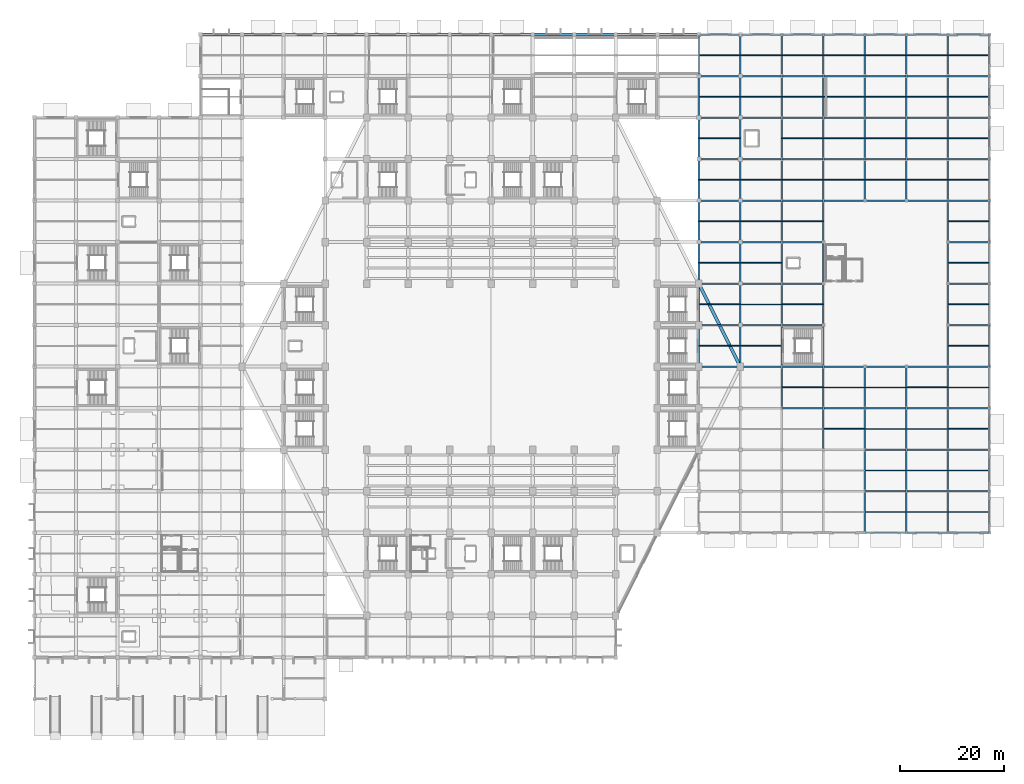
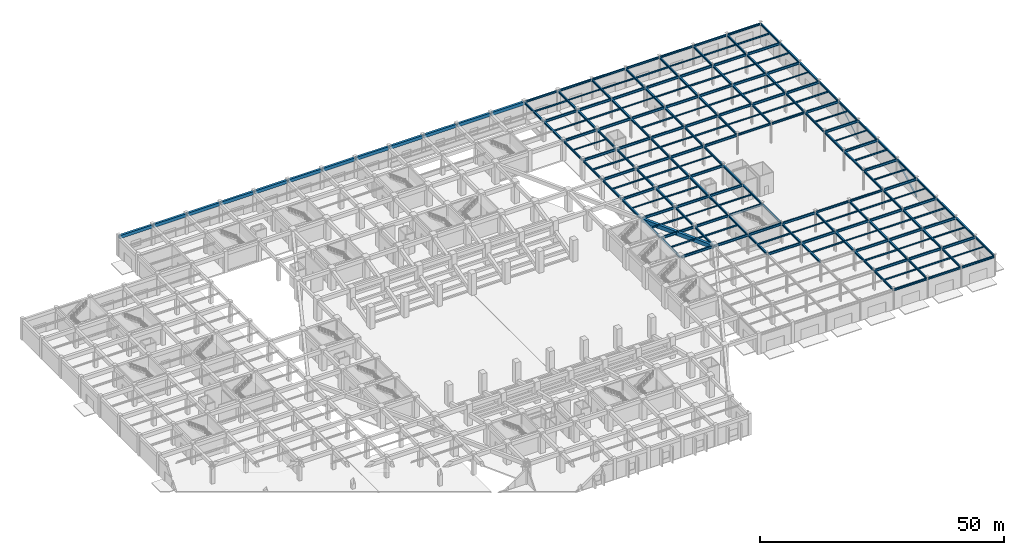
# One storey, part 14 of 39: 212 beams, 2 members.
"""IFC4 building model written with IfcOpenShell, lengths in metres."""

from ifc_helpers import new_model, si_unit, direction, frame, origin, origin_2d, place, context, subcontext, project, spatial, rectangle, hollow_circle, i_section, extrude, material, material_profile, profile_set, type_object, element, save


model = new_model("IFC4")

# Units and contexts
model_context = context("Model", 3, precision=1e-05, world=origin(), true_north=direction((0.0, 1.0)))
body_context = subcontext(model_context, "Body", "Model", "MODEL_VIEW")
ifc_project = project(units=[si_unit("LENGTHUNIT", "METRE"), si_unit("AREAUNIT", "SQUARE_METRE"), si_unit("VOLUMEUNIT", "CUBIC_METRE"), si_unit("PLANEANGLEUNIT", "RADIAN"), si_unit("MASSUNIT", "GRAM", prefix="KILO")], contexts=[model_context])

# Site, building, storey
site_placement = place(None, origin())
site = spatial("IfcSite", under=ifc_project, at=site_placement, CompositionType="ELEMENT")
building_placement = place(site_placement, origin())
building = spatial("IfcBuilding", under=site, at=building_placement, Name="Tazarka Park Arena", CompositionType="ELEMENT")
storey_placement = place(building_placement, origin())
storey = spatial("IfcBuildingStorey", under=building, at=storey_placement, Name="L00", CompositionType="ELEMENT", Elevation=0.0)

# Beams
ifc_material_1 = material(Name="Steel S355", Category="steel")
ifc_material_profile_1 = material_profile(ifc_material_1, i_section(OverallWidth=0.300048828125, OverallDepth=0.590087890625, WebThickness=0.012939453125, FlangeThickness=0.02490234375, FilletRadius=0.027099609375, at=origin_2d()), Name="Steel S355")
ifc_profile_set_1 = profile_set([ifc_material_profile_1], Name="Steel S355")
beam_type_1 = type_object("IfcBeamType", Name="BM-B-07", PredefinedType="BEAM", material=ifc_profile_set_1)
for number, where, z_axis, x_axis, name in (
    (1, (128.1201171875, 64.0, 4.72509765625), (1.0, 0.0, 0.0), (0.0, 1.0, 0.0), "GXM-L00-16-08"),
    (2, (128.1201171875, 72.0, 4.72509765625), (1.0, 0.0, 0.0), (0.0, 1.0, 0.0), "GXM-L00-16-09"),
    (3, (128.1201171875, 80.0, 4.72509765625), (1.0, 0.0, 0.0), (0.0, 1.0, 0.0), "GXM-L00-16-10"),
    (4, (128.1201171875, 88.0, 4.72509765625), (1.0, 0.0, 0.0), (0.0, 1.0, 0.0), "GXM-L00-16-11"),
    (5, (128.1201171875, 96.0, 4.72509765625), (1.0, 0.0, 0.0), (0.0, 1.0, 0.0), "GXM-L00-16-12"),
    (6, (128.1201171875, 104.0, 4.72509765625), (1.0, 0.0, 0.0), (0.0, 1.0, 0.0), "GXM-L00-16-13"),
    (7, (128.1201171875, 112.0, 4.72509765625), (1.0, 0.0, 0.0), (0.0, 1.0, 0.0), "GXM-L00-16-14"),
    (8, (128.1201171875, 120.0, 4.72509765625), (1.0, 0.0, 0.0), (0.0, 1.0, 0.0), "GXM-L00-16-15"),
    (9, (136.1201171875, 64.0, 4.72509765625), (1.0, 0.0, 0.0), (0.0, 1.0, 0.0), "GXM-L00-17-08"),
    (10, (136.1201171875, 72.0, 4.72509765625), (1.0, 0.0, 0.0), (0.0, 1.0, 0.0), "GXM-L00-17-09"),
    (11, (136.1201171875, 80.0, 4.72509765625), (1.0, 0.0, 0.0), (0.0, 1.0, 0.0), "GXM-L00-17-10"),
    (12, (136.1201171875, 88.0, 4.72509765625), (1.0, 0.0, 0.0), (0.0, 1.0, 0.0), "GXM-L00-17-11"),
    (13, (136.1201171875, 96.0, 4.72509765625), (1.0, 0.0, 0.0), (0.0, 1.0, 0.0), "GXM-L00-17-12"),
    (14, (136.1201171875, 104.0, 4.72509765625), (1.0, 0.0, 0.0), (0.0, 1.0, 0.0), "GXM-L00-17-13"),
    (15, (136.1201171875, 112.0, 4.72509765625), (1.0, 0.0, 0.0), (0.0, 1.0, 0.0), "GXM-L00-17-14"),
    (16, (136.1201171875, 120.0, 4.72509765625), (1.0, 0.0, 0.0), (0.0, 1.0, 0.0), "GXM-L00-17-15"),
    (17, (144.1201171875, 56.0, 4.72509765625), (1.0, 0.0, 0.0), (0.0, 1.0, 0.0), "GXM-L00-18-07"),
    (18, (144.1201171875, 64.0, 4.72509765625), (1.0, 0.0, 0.0), (0.0, 1.0, 0.0), "GXM-L00-18-08"),
    (19, (144.1201171875, 72.0, 4.72509765625), (1.0, 0.0, 0.0), (0.0, 1.0, 0.0), "GXM-L00-18-09"),
    (20, (144.1201171875, 80.0, 4.72509765625), (1.0, 0.0, 0.0), (0.0, 1.0, 0.0), "GXM-L00-18-10"),
    (21, (144.1201171875, 88.0, 4.72509765625), (1.0, 0.0, 0.0), (0.0, 1.0, 0.0), "GXM-L00-18-11"),
    (22, (144.1201171875, 96.0, 4.72509765625), (1.0, 0.0, 0.0), (0.0, 1.0, 0.0), "GXM-L00-18-12"),
    (23, (144.1201171875, 104.0, 4.72509765625), (1.0, 0.0, 0.0), (0.0, 1.0, 0.0), "GXM-L00-18-13"),
    (24, (144.1201171875, 112.0, 4.72509765625), (1.0, 0.0, 0.0), (0.0, 1.0, 0.0), "GXM-L00-18-14"),
    (25, (144.1201171875, 120.0, 4.72509765625), (1.0, 0.0, 0.0), (0.0, 1.0, 0.0), "GXM-L00-18-15"),
    (26, (152.1201171875, 56.0, 4.72509765625), (1.0, 0.0, 0.0), (0.0, 1.0, 0.0), "GXM-L00-19-07"),
    (27, (152.1201171875, 64.0, 4.72509765625), (1.0, 0.0, 0.0), (0.0, 1.0, 0.0), "GXM-L00-19-08"),
    (28, (152.1201171875, 96.0, 4.72509765625), (1.0, 0.0, 0.0), (0.0, 1.0, 0.0), "GXM-L00-19-12"),
    (29, (152.1201171875, 104.0, 4.72509765625), (1.0, 0.0, 0.0), (0.0, 1.0, 0.0), "GXM-L00-19-13"),
    (30, (152.1201171875, 112.0, 4.72509765625), (1.0, 0.0, 0.0), (0.0, 1.0, 0.0), "GXM-L00-19-14"),
    (31, (152.1201171875, 120.0, 4.72509765625), (1.0, 0.0, 0.0), (0.0, 1.0, 0.0), "GXM-L00-19-15"),
    (32, (160.1201171875, 40.0, 4.72509765625), (1.0, 0.0, 0.0), (0.0, 1.0, 0.0), "GXM-L00-20-05"),
    (33, (160.1201171875, 48.0, 4.72509765625), (1.0, 0.0, 0.0), (0.0, 1.0, 0.0), "GXM-L00-20-06"),
    (34, (160.1201171875, 56.0, 4.72509765625), (1.0, 0.0, 0.0), (0.0, 1.0, 0.0), "GXM-L00-20-07"),
    (35, (160.1201171875, 104.0, 4.72509765625), (1.0, 0.0, 0.0), (0.0, 1.0, 0.0), "GXM-L00-20-13"),
    (36, (160.1201171875, 112.0, 4.72509765625), (1.0, 0.0, 0.0), (0.0, 1.0, 0.0), "GXM-L00-20-14"),
    (37, (160.1201171875, 120.0, 4.72509765625), (1.0, 0.0, 0.0), (0.0, 1.0, 0.0), "GXM-L00-20-15"),
    (38, (168.1201171875, 40.0, 4.72509765625), (1.0, 0.0, 0.0), (0.0, 1.0, 0.0), "GXM-L00-21-05"),
    (39, (168.1201171875, 48.0, 4.72509765625), (1.0, 0.0, 0.0), (0.0, 1.0, 0.0), "GXM-L00-21-06"),
    (40, (168.1201171875, 56.0, 4.72509765625), (1.0, 0.0, 0.0), (0.0, 1.0, 0.0), "GXM-L00-21-07"),
    (41, (168.1201171875, 104.0, 4.72509765625), (1.0, 0.0, 0.0), (0.0, 1.0, 0.0), "GXM-L00-21-13"),
    (42, (168.1201171875, 112.0, 4.72509765625), (1.0, 0.0, 0.0), (0.0, 1.0, 0.0), "GXM-L00-21-14"),
    (43, (168.1201171875, 120.0, 4.72509765625), (1.0, 0.0, 0.0), (0.0, 1.0, 0.0), "GXM-L00-21-15"),
    (44, (176.1201171875, 40.0, 4.72509765625), (1.0, 0.0, 0.0), (0.0, 1.0, 0.0), "GXM-L00-22-05"),
    (45, (176.1201171875, 48.0, 4.72509765625), (1.0, 0.0, 0.0), (0.0, 1.0, 0.0), "GXM-L00-22-06"),
    (46, (176.1201171875, 56.0, 4.72509765625), (1.0, 0.0, 0.0), (0.0, 1.0, 0.0), "GXM-L00-22-07"),
    (47, (176.1201171875, 64.0, 4.72509765625), (1.0, 0.0, 0.0), (0.0, 1.0, 0.0), "GXM-L00-22-08"),
    (48, (176.1201171875, 72.0, 4.72509765625), (1.0, 0.0, 0.0), (0.0, 1.0, 0.0), "GXM-L00-22-09"),
    (49, (176.1201171875, 80.0, 4.72509765625), (1.0, 0.0, 0.0), (0.0, 1.0, 0.0), "GXM-L00-22-10"),
    (50, (176.1201171875, 88.0, 4.72509765625), (1.0, 0.0, 0.0), (0.0, 1.0, 0.0), "GXM-L00-22-11"),
    (51, (176.1201171875, 96.0, 4.72509765625), (1.0, 0.0, 0.0), (0.0, 1.0, 0.0), "GXM-L00-22-12"),
    (52, (176.1201171875, 104.0, 4.72509765625), (1.0, 0.0, 0.0), (0.0, 1.0, 0.0), "GXM-L00-22-13"),
    (53, (176.1201171875, 112.0, 4.72509765625), (1.0, 0.0, 0.0), (0.0, 1.0, 0.0), "GXM-L00-22-14"),
    (54, (176.1201171875, 120.0, 4.72509765625), (1.0, 0.0, 0.0), (0.0, 1.0, 0.0), "GXM-L00-22-15"),
):
    element("IfcBeam", number, at=place(storey_placement, frame(where, z_axis=z_axis, x_axis=x_axis)), inside=storey, type_object=beam_type_1, Name=name, PredefinedType="BEAM", context=body_context, shape_type="SweptSolid", body=[
        extrude(i_section(OverallWidth=0.300048828125, OverallDepth=0.590087890625, WebThickness=0.012939453125, FlangeThickness=0.02490234375, FilletRadius=0.027099609375, at=origin_2d()), origin(), (0.0, 0.0, 1.0), 7.759765625),
    ])
ifc_material_2 = material(Name="Steel S355", Category="steel")
ifc_material_profile_2 = material_profile(ifc_material_2, i_section(OverallWidth=0.300048828125, OverallDepth=0.5, WebThickness=0.014404296875, FlangeThickness=0.028076171875, FilletRadius=0.027099609375, at=origin_2d()), Name="Steel S355")
ifc_profile_set_2 = profile_set([ifc_material_profile_2], Name="Steel S355")
beam_type_2 = type_object("IfcBeamType", Name="BM-B-08", PredefinedType="BEAM", material=ifc_profile_set_2)
for number, where, z_axis, x_axis, name in (
    (55, (128.0, 64.1201171875, 4.77001953125), (0.0, 1.0, 0.0), (-1.0, 0.0, 0.0), "GYM-L00-16-08"),
    (56, (128.0, 72.1201171875, 4.77001953125), (0.0, 1.0, 0.0), (-1.0, 0.0, 0.0), "GYM-L00-16-09"),
    (57, (128.0, 80.1201171875, 4.77001953125), (0.0, 1.0, 0.0), (-1.0, 0.0, 0.0), "GYM-L00-16-10"),
    (58, (128.0, 88.1201171875, 4.77001953125), (0.0, 1.0, 0.0), (-1.0, 0.0, 0.0), "GYM-L00-16-11"),
    (59, (128.0, 96.1201171875, 4.77001953125), (0.0, 1.0, 0.0), (-1.0, 0.0, 0.0), "GYM-L00-16-12"),
    (60, (128.0, 112.1201171875, 4.77001953125), (0.0, 1.0, 0.0), (-1.0, 0.0, 0.0), "GYM-L00-16-14"),
    (61, (128.0, 120.1201171875, 4.77001953125), (0.0, 1.0, 0.0), (-1.0, 0.0, 0.0), "GYM-L00-16-15"),
    (62, (136.0, 64.1201171875, 4.77001953125), (0.0, 1.0, 0.0), (-1.0, 0.0, 0.0), "GYM-L00-17-08"),
    (63, (136.0, 72.1201171875, 4.77001953125), (0.0, 1.0, 0.0), (-1.0, 0.0, 0.0), "GYM-L00-17-09"),
    (64, (136.0, 80.1201171875, 4.77001953125), (0.0, 1.0, 0.0), (-1.0, 0.0, 0.0), "GYM-L00-17-10"),
    (65, (136.0, 88.1201171875, 4.77001953125), (0.0, 1.0, 0.0), (-1.0, 0.0, 0.0), "GYM-L00-17-11"),
    (66, (136.0, 96.1201171875, 4.77001953125), (0.0, 1.0, 0.0), (-1.0, 0.0, 0.0), "GYM-L00-17-12"),
    (67, (136.0, 104.1201171875, 4.77001953125), (0.0, 1.0, 0.0), (-1.0, 0.0, 0.0), "GYM-L00-17-13"),
    (68, (136.0, 112.1201171875, 4.77001953125), (0.0, 1.0, 0.0), (-1.0, 0.0, 0.0), "GYM-L00-17-14"),
    (69, (136.0, 120.1201171875, 4.77001953125), (0.0, 1.0, 0.0), (-1.0, 0.0, 0.0), "GYM-L00-17-15"),
    (70, (144.0, 56.1201171875, 4.77001953125), (0.0, 1.0, 0.0), (-1.0, 0.0, 0.0), "GYM-L00-18-07"),
    (71, (144.0, 64.1201171875, 4.77001953125), (0.0, 1.0, 0.0), (-1.0, 0.0, 0.0), "GYM-L00-18-08"),
    (72, (144.0, 72.1201171875, 4.77001953125), (0.0, 1.0, 0.0), (-1.0, 0.0, 0.0), "GYM-L00-18-09"),
    (73, (144.0, 80.1201171875, 4.77001953125), (0.0, 1.0, 0.0), (-1.0, 0.0, 0.0), "GYM-L00-18-10"),
    (74, (144.0, 88.1201171875, 4.77001953125), (0.0, 1.0, 0.0), (-1.0, 0.0, 0.0), "GYM-L00-18-11"),
    (75, (144.0, 96.1201171875, 4.77001953125), (0.0, 1.0, 0.0), (-1.0, 0.0, 0.0), "GYM-L00-18-12"),
    (76, (144.0, 104.1201171875, 4.77001953125), (0.0, 1.0, 0.0), (-1.0, 0.0, 0.0), "GYM-L00-18-13"),
    (77, (144.0, 112.1201171875, 4.77001953125), (0.0, 1.0, 0.0), (-1.0, 0.0, 0.0), "GYM-L00-18-14"),
    (78, (144.0, 120.1201171875, 4.77001953125), (0.0, 1.0, 0.0), (-1.0, 0.0, 0.0), "GYM-L00-18-15"),
    (79, (152.0, 48.1201171875, 4.77001953125), (0.0, 1.0, 0.0), (-1.0, 0.0, 0.0), "GYM-L00-19-06"),
    (80, (152.0, 56.1201171875, 4.77001953125), (0.0, 1.0, 0.0), (-1.0, 0.0, 0.0), "GYM-L00-19-07"),
    (81, (152.0, 64.1201171875, 4.77001953125), (0.0, 1.0, 0.0), (-1.0, 0.0, 0.0), "GYM-L00-19-08"),
    (82, (152.0, 96.1201171875, 4.77001953125), (0.0, 1.0, 0.0), (-1.0, 0.0, 0.0), "GYM-L00-19-12"),
    (83, (152.0, 104.1201171875, 4.77001953125), (0.0, 1.0, 0.0), (-1.0, 0.0, 0.0), "GYM-L00-19-13"),
    (84, (152.0, 112.1201171875, 4.77001953125), (0.0, 1.0, 0.0), (-1.0, 0.0, 0.0), "GYM-L00-19-14"),
    (85, (152.0, 120.1201171875, 4.77001953125), (0.0, 1.0, 0.0), (-1.0, 0.0, 0.0), "GYM-L00-19-15"),
    (86, (160.0, 32.1201171875, 4.77001953125), (0.0, 1.0, 0.0), (-1.0, 0.0, 0.0), "GYM-L00-20-04"),
    (87, (160.0, 40.1201171875, 4.77001953125), (0.0, 1.0, 0.0), (-1.0, 0.0, 0.0), "GYM-L00-20-05"),
    (88, (160.0, 48.1201171875, 4.77001953125), (0.0, 1.0, 0.0), (-1.0, 0.0, 0.0), "GYM-L00-20-06"),
    (89, (160.0, 56.1201171875, 4.77001953125), (0.0, 1.0, 0.0), (-1.0, 0.0, 0.0), "GYM-L00-20-07"),
    (90, (160.0, 96.1201171875, 4.77001953125), (0.0, 1.0, 0.0), (-1.0, 0.0, 0.0), "GYM-L00-20-12"),
    (91, (160.0, 104.1201171875, 4.77001953125), (0.0, 1.0, 0.0), (-1.0, 0.0, 0.0), "GYM-L00-20-13"),
    (92, (160.0, 112.1201171875, 4.77001953125), (0.0, 1.0, 0.0), (-1.0, 0.0, 0.0), "GYM-L00-20-14"),
    (93, (160.0, 120.1201171875, 4.77001953125), (0.0, 1.0, 0.0), (-1.0, 0.0, 0.0), "GYM-L00-20-15"),
    (94, (168.0, 32.1201171875, 4.77001953125), (0.0, 1.0, 0.0), (-1.0, 0.0, 0.0), "GYM-L00-21-04"),
    (95, (168.0, 40.1201171875, 4.77001953125), (0.0, 1.0, 0.0), (-1.0, 0.0, 0.0), "GYM-L00-21-05"),
    (96, (168.0, 48.1201171875, 4.77001953125), (0.0, 1.0, 0.0), (-1.0, 0.0, 0.0), "GYM-L00-21-06"),
    (97, (168.0, 56.1201171875, 4.77001953125), (0.0, 1.0, 0.0), (-1.0, 0.0, 0.0), "GYM-L00-21-07"),
    (98, (168.0, 96.1201171875, 4.77001953125), (0.0, 1.0, 0.0), (-1.0, 0.0, 0.0), "GYM-L00-21-12"),
    (99, (168.0, 104.1201171875, 4.77001953125), (0.0, 1.0, 0.0), (-1.0, 0.0, 0.0), "GYM-L00-21-13"),
    (100, (168.0, 112.1201171875, 4.77001953125), (0.0, 1.0, 0.0), (-1.0, 0.0, 0.0), "GYM-L00-21-14"),
    (101, (168.0, 120.1201171875, 4.77001953125), (0.0, 1.0, 0.0), (-1.0, 0.0, 0.0), "GYM-L00-21-15"),
    (102, (176.0, 32.1201171875, 4.77001953125), (0.0, 1.0, 0.0), (-1.0, 0.0, 0.0), "GYM-L00-22-04"),
    (103, (176.0, 40.1201171875, 4.77001953125), (0.0, 1.0, 0.0), (-1.0, 0.0, 0.0), "GYM-L00-22-05"),
    (104, (176.0, 48.1201171875, 4.77001953125), (0.0, 1.0, 0.0), (-1.0, 0.0, 0.0), "GYM-L00-22-06"),
    (105, (176.0, 56.1201171875, 4.77001953125), (0.0, 1.0, 0.0), (-1.0, 0.0, 0.0), "GYM-L00-22-07"),
    (106, (176.0, 64.1201171875, 4.77001953125), (0.0, 1.0, 0.0), (-1.0, 0.0, 0.0), "GYM-L00-22-08"),
    (107, (176.0, 96.1201171875, 4.77001953125), (0.0, 1.0, 0.0), (-1.0, 0.0, 0.0), "GYM-L00-22-12"),
    (108, (176.0, 104.1201171875, 4.77001953125), (0.0, 1.0, 0.0), (-1.0, 0.0, 0.0), "GYM-L00-22-13"),
    (109, (176.0, 112.1201171875, 4.77001953125), (0.0, 1.0, 0.0), (-1.0, 0.0, 0.0), "GYM-L00-22-14"),
    (110, (176.0, 120.1201171875, 4.77001953125), (0.0, 1.0, 0.0), (-1.0, 0.0, 0.0), "GYM-L00-22-15"),
):
    element("IfcBeam", number, at=place(storey_placement, frame(where, z_axis=z_axis, x_axis=x_axis)), inside=storey, type_object=beam_type_2, Name=name, PredefinedType="BEAM", context=body_context, shape_type="SweptSolid", body=[
        extrude(i_section(OverallWidth=0.300048828125, OverallDepth=0.5, WebThickness=0.014404296875, FlangeThickness=0.028076171875, FilletRadius=0.027099609375, at=origin_2d()), origin(), (0.0, 0.0, 1.0), 7.759765625),
    ])
ifc_material_3 = material(Name="Steel S355", Category="steel")
ifc_material_profile_3 = material_profile(ifc_material_3, i_section(OverallWidth=0.14990234375, OverallDepth=0.300048828125, WebThickness=0.007080078125, FlangeThickness=0.0107421875, FilletRadius=0.014892578125, at=origin_2d()), Name="Steel S355")
ifc_profile_set_3 = profile_set([ifc_material_profile_3], Name="Steel S355")
beam_type_3 = type_object("IfcBeamType", Name="BM-J-01", PredefinedType="JOIST", material=ifc_profile_set_3)
for number, where, z_axis, x_axis, name in (
    (111, (128.1201171875, 84.0, 4.8701171875), (1.0, 0.0, 0.0), (0.0, 1.0, 0.0), "JST-L00-16-10"),
    (112, (128.1201171875, 108.0, 4.8701171875), (1.0, 0.0, 0.0), (0.0, 1.0, 0.0), "JST-L00-16-13"),
    (113, (136.1201171875, 76.0, 4.8701171875), (1.0, 0.0, 0.0), (0.0, 1.0, 0.0), "JST-L00-17-09"),
    (114, (136.1201171875, 100.0, 4.8701171875), (1.0, 0.0, 0.0), (0.0, 1.0, 0.0), "JST-L00-17-12"),
    (115, (136.1201171875, 124.0, 4.8701171875), (1.0, 0.0, 0.0), (0.0, 1.0, 0.0), "JST-L00-17-15"),
    (116, (144.1201171875, 92.0, 4.8701171875), (1.0, 0.0, 0.0), (0.0, 1.0, 0.0), "JST-L00-18-11"),
    (117, (144.1201171875, 116.0, 4.8701171875), (1.0, 0.0, 0.0), (0.0, 1.0, 0.0), "JST-L00-18-14"),
    (118, (152.1201171875, 60.0, 4.8701171875), (1.0, 0.0, 0.0), (0.0, 1.0, 0.0), "JST-L00-19-07"),
    (119, (152.1201171875, 108.0, 4.8701171875), (1.0, 0.0, 0.0), (0.0, 1.0, 0.0), "JST-L00-19-13"),
    (120, (160.1201171875, 52.0, 4.8701171875), (1.0, 0.0, 0.0), (0.0, 1.0, 0.0), "JST-L00-20-06"),
    (121, (160.1201171875, 100.0, 4.8701171875), (1.0, 0.0, 0.0), (0.0, 1.0, 0.0), "JST-L00-20-12"),
    (122, (160.1201171875, 124.0, 4.8701171875), (1.0, 0.0, 0.0), (0.0, 1.0, 0.0), "JST-L00-20-15"),
    (123, (168.1201171875, 44.0, 4.8701171875), (1.0, 0.0, 0.0), (0.0, 1.0, 0.0), "JST-L00-21-05"),
    (124, (168.1201171875, 116.0, 4.8701171875), (1.0, 0.0, 0.0), (0.0, 1.0, 0.0), "JST-L00-21-14"),
    (125, (176.1201171875, 36.0, 4.8701171875), (1.0, 0.0, 0.0), (0.0, 1.0, 0.0), "JST-L00-22-04"),
    (126, (176.1201171875, 60.0, 4.8701171875), (1.0, 0.0, 0.0), (0.0, 1.0, 0.0), "JST-L00-22-07"),
    (127, (176.1201171875, 84.0, 4.8701171875), (1.0, 0.0, 0.0), (0.0, 1.0, 0.0), "JST-L00-22-10"),
    (128, (176.1201171875, 108.0, 4.8701171875), (1.0, 0.0, 0.0), (0.0, 1.0, 0.0), "JST-L00-22-13"),
):
    element("IfcBeam", number, at=place(storey_placement, frame(where, z_axis=z_axis, x_axis=x_axis)), inside=storey, type_object=beam_type_3, Name=name, PredefinedType="JOIST", context=body_context, shape_type="SweptSolid", body=[
        extrude(i_section(OverallWidth=0.14990234375, OverallDepth=0.300048828125, WebThickness=0.007080078125, FlangeThickness=0.0107421875, FilletRadius=0.014892578125, at=origin_2d()), origin(), (0.0, 0.0, 1.0), 7.759765625),
    ])
ifc_material_4 = material(Name="Steel S355", Category="steel")
ifc_material_profile_4 = material_profile(ifc_material_4, i_section(OverallWidth=0.169921875, OverallDepth=0.360107421875, WebThickness=0.008056640625, FlangeThickness=0.0126953125, FilletRadius=0.01806640625, at=origin_2d()), Name="Steel S355")
ifc_profile_set_4 = profile_set([ifc_material_profile_4], Name="Steel S355")
beam_type_4 = type_object("IfcBeamType", Name="BM-J-02", PredefinedType="JOIST", material=ifc_profile_set_4)
for number, where, z_axis, x_axis, name in (
    (129, (128.1201171875, 68.0, 4.840087890625), (1.0, 0.0, 0.0), (0.0, 1.0, 0.0), "JST-L00-16-08"),
    (130, (128.1201171875, 92.0, 4.840087890625), (1.0, 0.0, 0.0), (0.0, 1.0, 0.0), "JST-L00-16-11"),
    (131, (128.1201171875, 116.0, 4.840087890625), (1.0, 0.0, 0.0), (0.0, 1.0, 0.0), "JST-L00-16-14"),
    (132, (136.1201171875, 84.0, 4.840087890625), (1.0, 0.0, 0.0), (0.0, 1.0, 0.0), "JST-L00-17-10"),
    (133, (144.1201171875, 76.0, 4.840087890625), (1.0, 0.0, 0.0), (0.0, 1.0, 0.0), "JST-L00-18-09"),
    (134, (144.1201171875, 100.0, 4.840087890625), (1.0, 0.0, 0.0), (0.0, 1.0, 0.0), "JST-L00-18-12"),
    (135, (144.1201171875, 124.0, 4.840087890625), (1.0, 0.0, 0.0), (0.0, 1.0, 0.0), "JST-L00-18-15"),
    (136, (152.1201171875, 116.0, 4.840087890625), (1.0, 0.0, 0.0), (0.0, 1.0, 0.0), "JST-L00-19-14"),
    (137, (160.1201171875, 36.0, 4.840087890625), (1.0, 0.0, 0.0), (0.0, 1.0, 0.0), "JST-L00-20-04"),
    (138, (160.1201171875, 60.0, 4.840087890625), (1.0, 0.0, 0.0), (0.0, 1.0, 0.0), "JST-L00-20-07"),
    (139, (160.1201171875, 108.0, 4.840087890625), (1.0, 0.0, 0.0), (0.0, 1.0, 0.0), "JST-L00-20-13"),
    (140, (168.1201171875, 52.0, 4.840087890625), (1.0, 0.0, 0.0), (0.0, 1.0, 0.0), "JST-L00-21-06"),
    (141, (168.1201171875, 100.0, 4.840087890625), (1.0, 0.0, 0.0), (0.0, 1.0, 0.0), "JST-L00-21-12"),
    (142, (168.1201171875, 124.0, 4.840087890625), (1.0, 0.0, 0.0), (0.0, 1.0, 0.0), "JST-L00-21-15"),
    (143, (176.1201171875, 44.0, 4.840087890625), (1.0, 0.0, 0.0), (0.0, 1.0, 0.0), "JST-L00-22-05"),
    (144, (176.1201171875, 68.0, 4.840087890625), (1.0, 0.0, 0.0), (0.0, 1.0, 0.0), "JST-L00-22-08"),
    (145, (176.1201171875, 92.0, 4.840087890625), (1.0, 0.0, 0.0), (0.0, 1.0, 0.0), "JST-L00-22-11"),
    (146, (176.1201171875, 116.0, 4.840087890625), (1.0, 0.0, 0.0), (0.0, 1.0, 0.0), "JST-L00-22-14"),
):
    element("IfcBeam", number, at=place(storey_placement, frame(where, z_axis=z_axis, x_axis=x_axis)), inside=storey, type_object=beam_type_4, Name=name, PredefinedType="JOIST", context=body_context, shape_type="SweptSolid", body=[
        extrude(i_section(OverallWidth=0.169921875, OverallDepth=0.360107421875, WebThickness=0.008056640625, FlangeThickness=0.0126953125, FilletRadius=0.01806640625, at=origin_2d()), origin(), (0.0, 0.0, 1.0), 7.759765625),
    ])
ifc_material_5 = material(Name="Steel S355", Category="steel")
ifc_material_profile_5 = material_profile(ifc_material_5, i_section(OverallWidth=0.179931640625, OverallDepth=0.39990234375, WebThickness=0.008544921875, FlangeThickness=0.013427734375, FilletRadius=0.02099609375, at=origin_2d()), Name="Steel S355")
ifc_profile_set_5 = profile_set([ifc_material_profile_5], Name="Steel S355")
beam_type_5 = type_object("IfcBeamType", Name="BM-J-03", PredefinedType="JOIST", material=ifc_profile_set_5)
for number, where, z_axis, x_axis, name in (
    (147, (128.1201171875, 76.0, 4.820068359375), (1.0, 0.0, 0.0), (0.0, 1.0, 0.0), "JST-L00-16-09"),
    (148, (128.1201171875, 100.0, 4.820068359375), (1.0, 0.0, 0.0), (0.0, 1.0, 0.0), "JST-L00-16-12"),
    (149, (128.1201171875, 124.0, 4.820068359375), (1.0, 0.0, 0.0), (0.0, 1.0, 0.0), "JST-L00-16-15"),
    (150, (136.1201171875, 68.0, 4.820068359375), (1.0, 0.0, 0.0), (0.0, 1.0, 0.0), "JST-L00-17-08"),
    (151, (136.1201171875, 92.0, 4.820068359375), (1.0, 0.0, 0.0), (0.0, 1.0, 0.0), "JST-L00-17-11"),
    (152, (136.1201171875, 116.0, 4.820068359375), (1.0, 0.0, 0.0), (0.0, 1.0, 0.0), "JST-L00-17-14"),
    (153, (144.1201171875, 60.0, 4.820068359375), (1.0, 0.0, 0.0), (0.0, 1.0, 0.0), "JST-L00-18-07"),
    (154, (144.1201171875, 108.0, 4.820068359375), (1.0, 0.0, 0.0), (0.0, 1.0, 0.0), "JST-L00-18-13"),
    (155, (152.1201171875, 52.0, 4.820068359375), (1.0, 0.0, 0.0), (0.0, 1.0, 0.0), "JST-L00-19-06"),
    (156, (152.1201171875, 100.0, 4.820068359375), (1.0, 0.0, 0.0), (0.0, 1.0, 0.0), "JST-L00-19-12"),
    (157, (152.1201171875, 124.0, 4.820068359375), (1.0, 0.0, 0.0), (0.0, 1.0, 0.0), "JST-L00-19-15"),
    (158, (160.1201171875, 44.0, 4.820068359375), (1.0, 0.0, 0.0), (0.0, 1.0, 0.0), "JST-L00-20-05"),
    (159, (160.1201171875, 116.0, 4.820068359375), (1.0, 0.0, 0.0), (0.0, 1.0, 0.0), "JST-L00-20-14"),
    (160, (168.1201171875, 36.0, 4.820068359375), (1.0, 0.0, 0.0), (0.0, 1.0, 0.0), "JST-L00-21-04"),
    (161, (168.1201171875, 60.0, 4.820068359375), (1.0, 0.0, 0.0), (0.0, 1.0, 0.0), "JST-L00-21-07"),
    (162, (168.1201171875, 108.0, 4.820068359375), (1.0, 0.0, 0.0), (0.0, 1.0, 0.0), "JST-L00-21-13"),
    (163, (176.1201171875, 52.0, 4.820068359375), (1.0, 0.0, 0.0), (0.0, 1.0, 0.0), "JST-L00-22-06"),
    (164, (176.1201171875, 76.0, 4.820068359375), (1.0, 0.0, 0.0), (0.0, 1.0, 0.0), "JST-L00-22-09"),
    (165, (176.1201171875, 100.0, 4.820068359375), (1.0, 0.0, 0.0), (0.0, 1.0, 0.0), "JST-L00-22-12"),
    (166, (176.1201171875, 124.0, 4.820068359375), (1.0, 0.0, 0.0), (0.0, 1.0, 0.0), "JST-L00-22-15"),
):
    element("IfcBeam", number, at=place(storey_placement, frame(where, z_axis=z_axis, x_axis=x_axis)), inside=storey, type_object=beam_type_5, Name=name, PredefinedType="JOIST", context=body_context, shape_type="SweptSolid", body=[
        extrude(i_section(OverallWidth=0.179931640625, OverallDepth=0.39990234375, WebThickness=0.008544921875, FlangeThickness=0.013427734375, FilletRadius=0.02099609375, at=origin_2d()), origin(), (0.0, 0.0, 1.0), 7.759765625),
    ])
ifc_material_6 = material(Name="Concrete C40/50", Category="concrete")
ifc_material_profile_6 = material_profile(ifc_material_6, rectangle(XDim=0.5, YDim=0.800048828125, at=origin_2d()), Name="Concrete C40/50")
ifc_profile_set_6 = profile_set([ifc_material_profile_6], Name="Concrete C40/50")
beam_type_6 = type_object("IfcBeamType", Name="BM-SP-01", PredefinedType="SPANDREL", material=ifc_profile_set_6)
for number, where, z_axis, x_axis, name in (
    (167, (32.1201171875, 128.0, 4.6201171875), (1.0, 0.0, 0.0), (0.0, 1.0, 0.0), "GXM-L00-04-16"),
    (168, (40.1201171875, 128.0, 4.6201171875), (1.0, 0.0, 0.0), (0.0, 1.0, 0.0), "GXM-L00-05-16"),
    (169, (48.1201171875, 128.0, 4.6201171875), (1.0, 0.0, 0.0), (0.0, 1.0, 0.0), "GXM-L00-06-16"),
    (170, (56.1201171875, 128.0, 4.6201171875), (1.0, 0.0, 0.0), (0.0, 1.0, 0.0), "GXM-L00-07-16"),
    (171, (64.1201171875, 128.0, 4.6201171875), (1.0, 0.0, 0.0), (0.0, 1.0, 0.0), "GXM-L00-08-16"),
    (172, (72.1201171875, 128.0, 4.6201171875), (1.0, 0.0, 0.0), (0.0, 1.0, 0.0), "GXM-L00-09-16"),
    (173, (80.1201171875, 128.0, 4.6201171875), (1.0, 0.0, 0.0), (0.0, 1.0, 0.0), "GXM-L00-10-16"),
    (174, (88.1201171875, 128.0, 4.6201171875), (1.0, 0.0, 0.0), (0.0, 1.0, 0.0), "GXM-L00-11-16"),
    (175, (96.1201171875, 128.0, 4.6201171875), (1.0, 0.0, 0.0), (0.0, 1.0, 0.0), "GXM-L00-12-16"),
    (176, (104.1201171875, 128.0, 4.6201171875), (1.0, 0.0, 0.0), (0.0, 1.0, 0.0), "GXM-L00-13-16"),
    (177, (112.1201171875, 128.0, 4.6201171875), (1.0, 0.0, 0.0), (0.0, 1.0, 0.0), "GXM-L00-14-16"),
    (178, (120.1201171875, 128.0, 4.6201171875), (1.0, 0.0, 0.0), (0.0, 1.0, 0.0), "GXM-L00-15-16"),
):
    element("IfcBeam", number, at=place(storey_placement, frame(where, z_axis=z_axis, x_axis=x_axis)), inside=storey, type_object=beam_type_6, Name=name, PredefinedType="SPANDREL", context=body_context, shape_type="SweptSolid", body=[
        extrude(rectangle(XDim=0.5, YDim=0.800048828125, at=origin_2d()), origin(), (0.0, 0.0, 1.0), 7.759765625),
    ])
ifc_material_7 = material(Name="Steel S355", Category="steel")
ifc_material_profile_7 = material_profile(ifc_material_7, i_section(OverallWidth=0.300048828125, OverallDepth=0.489990234375, WebThickness=0.011962890625, FlangeThickness=0.02294921875, FilletRadius=0.027099609375, at=origin_2d()), Name="Steel S355")
ifc_profile_set_7 = profile_set([ifc_material_profile_7], Name="Steel S355")
beam_type_7 = type_object("IfcBeamType", Name="BM-SP-02", PredefinedType="SPANDREL", material=ifc_profile_set_7)
for number, where, z_axis, x_axis, name in (
    (179, (128.0, 104.1201171875, 4.77490234375), (0.0, 1.0, 0.0), (-1.0, 0.0, 0.0), "GYM-L00-16-13"),
    (180, (128.1201171875, 128.0, 4.77490234375), (1.0, 0.0, 0.0), (0.0, 1.0, 0.0), "GXM-L00-16-16"),
    (181, (136.1201171875, 128.0, 4.77490234375), (1.0, 0.0, 0.0), (0.0, 1.0, 0.0), "GXM-L00-17-16"),
    (182, (144.1201171875, 128.0, 4.77490234375), (1.0, 0.0, 0.0), (0.0, 1.0, 0.0), "GXM-L00-18-16"),
    (183, (152.0, 72.1201171875, 4.77490234375), (0.0, 1.0, 0.0), (-1.0, 0.0, 0.0), "GYM-L00-19-09"),
    (184, (152.0, 80.1201171875, 4.77490234375), (0.0, 1.0, 0.0), (-1.0, 0.0, 0.0), "GYM-L00-19-10"),
    (185, (152.0, 88.1201171875, 4.77490234375), (0.0, 1.0, 0.0), (-1.0, 0.0, 0.0), "GYM-L00-19-11"),
    (186, (152.1201171875, 128.0, 4.77490234375), (1.0, 0.0, 0.0), (0.0, 1.0, 0.0), "GXM-L00-19-16"),
    (187, (160.1201171875, 32.0, 4.77490234375), (1.0, 0.0, 0.0), (0.0, 1.0, 0.0), "GXM-L00-20-04"),
    (188, (160.1201171875, 64.0, 4.77490234375), (1.0, 0.0, 0.0), (0.0, 1.0, 0.0), "GXM-L00-20-08"),
    (189, (160.1201171875, 96.0, 4.77490234375), (1.0, 0.0, 0.0), (0.0, 1.0, 0.0), "GXM-L00-20-12"),
    (190, (160.1201171875, 128.0, 4.77490234375), (1.0, 0.0, 0.0), (0.0, 1.0, 0.0), "GXM-L00-20-16"),
    (191, (168.1201171875, 32.0, 4.77490234375), (1.0, 0.0, 0.0), (0.0, 1.0, 0.0), "GXM-L00-21-04"),
    (192, (168.1201171875, 64.0, 4.77490234375), (1.0, 0.0, 0.0), (0.0, 1.0, 0.0), "GXM-L00-21-08"),
    (193, (168.1201171875, 96.0, 4.77490234375), (1.0, 0.0, 0.0), (0.0, 1.0, 0.0), "GXM-L00-21-12"),
    (194, (168.1201171875, 128.0, 4.77490234375), (1.0, 0.0, 0.0), (0.0, 1.0, 0.0), "GXM-L00-21-16"),
    (195, (176.1201171875, 32.0, 4.77490234375), (1.0, 0.0, 0.0), (0.0, 1.0, 0.0), "GXM-L00-22-04"),
    (196, (176.0, 72.1201171875, 4.77490234375), (0.0, 1.0, 0.0), (-1.0, 0.0, 0.0), "GYM-L00-22-09"),
    (197, (176.0, 80.1201171875, 4.77490234375), (0.0, 1.0, 0.0), (-1.0, 0.0, 0.0), "GYM-L00-22-10"),
    (198, (176.0, 88.1201171875, 4.77490234375), (0.0, 1.0, 0.0), (-1.0, 0.0, 0.0), "GYM-L00-22-11"),
    (199, (176.1201171875, 128.0, 4.77490234375), (1.0, 0.0, 0.0), (0.0, 1.0, 0.0), "GXM-L00-22-16"),
    (200, (184.0, 32.1201171875, 4.77490234375), (0.0, 1.0, 0.0), (-1.0, 0.0, 0.0), "GYM-L00-23-04"),
    (201, (184.0, 40.1201171875, 4.77490234375), (0.0, 1.0, 0.0), (-1.0, 0.0, 0.0), "GYM-L00-23-05"),
    (202, (184.0, 48.1201171875, 4.77490234375), (0.0, 1.0, 0.0), (-1.0, 0.0, 0.0), "GYM-L00-23-06"),
    (203, (184.0, 56.1201171875, 4.77490234375), (0.0, 1.0, 0.0), (-1.0, 0.0, 0.0), "GYM-L00-23-07"),
    (204, (184.0, 64.1201171875, 4.77490234375), (0.0, 1.0, 0.0), (-1.0, 0.0, 0.0), "GYM-L00-23-08"),
    (205, (184.0, 72.1201171875, 4.77490234375), (0.0, 1.0, 0.0), (-1.0, 0.0, 0.0), "GYM-L00-23-09"),
    (206, (184.0, 80.1201171875, 4.77490234375), (0.0, 1.0, 0.0), (-1.0, 0.0, 0.0), "GYM-L00-23-10"),
    (207, (184.0, 88.1201171875, 4.77490234375), (0.0, 1.0, 0.0), (-1.0, 0.0, 0.0), "GYM-L00-23-11"),
    (208, (184.0, 96.1201171875, 4.77490234375), (0.0, 1.0, 0.0), (-1.0, 0.0, 0.0), "GYM-L00-23-12"),
    (209, (184.0, 104.1201171875, 4.77490234375), (0.0, 1.0, 0.0), (-1.0, 0.0, 0.0), "GYM-L00-23-13"),
    (210, (184.0, 112.1201171875, 4.77490234375), (0.0, 1.0, 0.0), (-1.0, 0.0, 0.0), "GYM-L00-23-14"),
    (211, (184.0, 120.1201171875, 4.77490234375), (0.0, 1.0, 0.0), (-1.0, 0.0, 0.0), "GYM-L00-23-15"),
):
    element("IfcBeam", number, at=place(storey_placement, frame(where, z_axis=z_axis, x_axis=x_axis)), inside=storey, type_object=beam_type_7, Name=name, PredefinedType="SPANDREL", context=body_context, shape_type="SweptSolid", body=[
        extrude(i_section(OverallWidth=0.300048828125, OverallDepth=0.489990234375, WebThickness=0.011962890625, FlangeThickness=0.02294921875, FilletRadius=0.027099609375, at=origin_2d()), origin(), (0.0, 0.0, 1.0), 7.759765625),
    ])
ifc_material_8 = material(Name="Concrete C40/50", Category="concrete")
ifc_material_profile_8 = material_profile(ifc_material_8, rectangle(XDim=0.60009765625, YDim=0.949951171875, at=origin_2d()), Name="Concrete C40/50")
ifc_profile_set_8 = profile_set([ifc_material_profile_8], Name="Concrete C40/50")
beam_type_8 = type_object("IfcBeamType", Name="BM-SP-03", PredefinedType="SPANDREL", material=ifc_profile_set_8)
beam_placement = place(storey_placement, frame((135.9462890625, 64.107421875, 4.544921875), z_axis=(-0.4472135955, 0.894427191, 0.0), x_axis=(-0.894427191, -0.4472135955, 0.0)))
element("IfcBeam", 212, at=beam_placement, inside=storey, type_object=beam_type_8, Name="RING BEAM SP-03-L00-10", PredefinedType="SPANDREL", context=body_context, shape_type="SweptSolid", body=[
    extrude(rectangle(XDim=0.60009765625, YDim=0.949951171875, at=origin_2d()), origin(), (0.0, 0.0, 1.0), 17.6484375),
])

# Members
ifc_material_9 = material(Name="Steel S355", Category="steel")
ifc_material_profile_9 = material_profile(ifc_material_9, i_section(OverallWidth=0.300048828125, OverallDepth=0.2900390625, WebThickness=0.008544921875, FlangeThickness=0.013916015625, FilletRadius=0.027099609375, at=origin_2d()), Name="Steel S355")
ifc_profile_set_9 = profile_set([ifc_material_profile_9], Name="Steel S355")
member_type_1 = type_object("IfcMemberType", Name="MEM-BR-04", PredefinedType="BRACE", material=ifc_profile_set_9)
member_1_placement = place(storey_placement, frame((184.0, 64.0, 0.199951171875), z_axis=(0.0, 0.872972176335, 0.487770006607), x_axis=(-1.0, 0.0, 0.0)))
element("IfcMember", 213, at=member_1_placement, inside=storey, type_object=member_type_1, Name="BRX-L00-02", PredefinedType="BRACE", context=body_context, shape_type="SweptSolid", body=[
    extrude(i_section(OverallWidth=0.300048828125, OverallDepth=0.2900390625, WebThickness=0.008544921875, FlangeThickness=0.013916015625, FilletRadius=0.027099609375, at=origin_2d()), origin(), (0.0, 0.0, 1.0), 9.1640625),
])
ifc_material_10 = material(Name="Steel S355", Category="steel")
ifc_material_profile_10 = material_profile(ifc_material_10, hollow_circle(Radius=0.122314453125, WallThickness=0.012451171875, at=origin_2d()), Name="Steel S355")
ifc_profile_set_10 = profile_set([ifc_material_profile_10], Name="Steel S355")
member_type_2 = type_object("IfcMemberType", Name="MEM-BR-05", PredefinedType="BRACE", material=ifc_profile_set_10)
member_2_placement = place(storey_placement, frame((184.0, 88.0, 0.199951171875), z_axis=(0.0, 0.872972176335, 0.487770006607), x_axis=(-1.0, 0.0, 0.0)))
element("IfcMember", 214, at=member_2_placement, inside=storey, type_object=member_type_2, Name="BRX-L00-03", PredefinedType="BRACE", context=body_context, shape_type="SweptSolid", body=[
    extrude(hollow_circle(Radius=0.122314453125, WallThickness=0.012451171875, at=origin_2d()), origin(), (0.0, 0.0, 1.0), 9.1640625),
])

save(model, "model.ifc")
